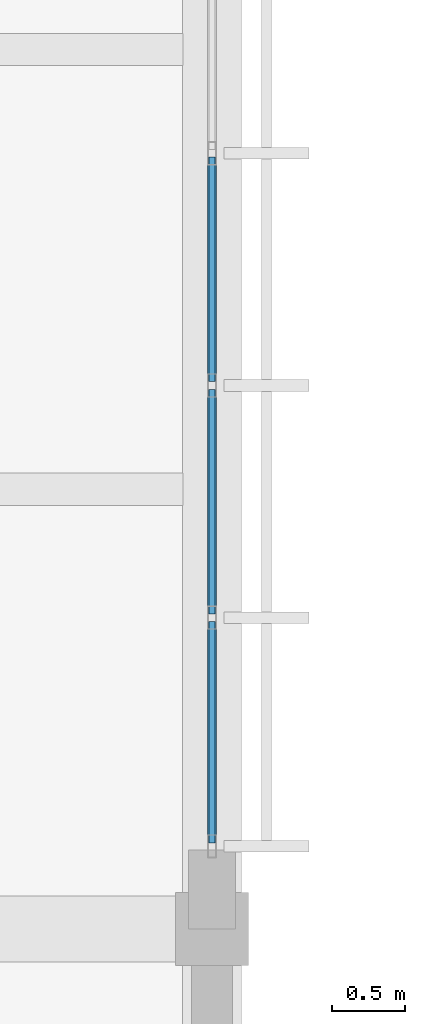
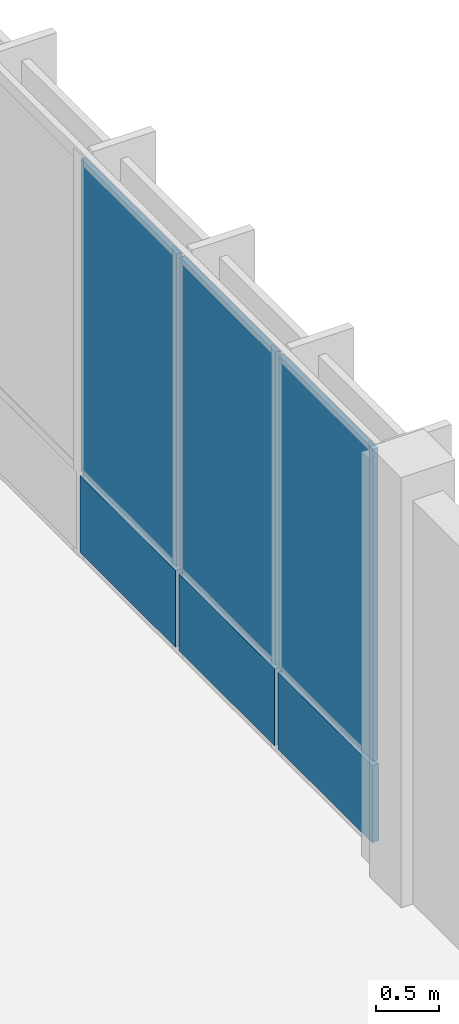
# One storey, part 155 of 182: 6 plates, 1 element without a shape of its own.
"""IFC4 building model written with IfcOpenShell, lengths in metres."""

from ifc_helpers import new_model, si_unit, direction, frame, origin, origin_2d, place, context, subcontext, project, spatial, rectangle, extrude, material, layer, layer_set, type_object, element, aggregate, save


model = new_model("IFC4")

# Units and contexts
model_context = context("Model", 3, precision=1e-05, world=origin(), true_north=direction((0.0, 1.0)))
body_context = subcontext(model_context, "Body", "Model", "MODEL_VIEW")
ifc_project = project(units=[si_unit("LENGTHUNIT", "METRE"), si_unit("AREAUNIT", "SQUARE_METRE"), si_unit("VOLUMEUNIT", "CUBIC_METRE"), si_unit("PLANEANGLEUNIT", "RADIAN"), si_unit("MASSUNIT", "GRAM", prefix="KILO")], contexts=[model_context])

# Site, building, storey
site_placement = place(None, origin())
site = spatial("IfcSite", under=ifc_project, at=site_placement, CompositionType="ELEMENT")
building_placement = place(site_placement, origin())
building = spatial("IfcBuilding", under=site, at=building_placement, Name="Chiffa Square Polytechnic", CompositionType="ELEMENT")
storey_placement = place(building_placement, frame((0.0, 0.0, 9.60009765625)))
storey = spatial("IfcBuildingStorey", under=building, at=storey_placement, Name="L02", CompositionType="ELEMENT", Elevation=9.60009765625)

# Curtain wall, plates
ifc_material_1 = material(Name="Aluminium EN AW-6060 T66 and glulam shading", Category="wood")
curtain_wall_type = type_object("IfcCurtainWallType", Name="CW-VERT-450X440", PredefinedType="USERDEFINED", material=ifc_material_1)
curtain_wall_placement = place(storey_placement, origin())
curtain_wall = element("IfcCurtainWall", 1, at=curtain_wall_placement, inside=storey, type_object=curtain_wall_type, Name="Curtain wall CW-V5-L02-216", ObjectType="CURTAIN WALL", PredefinedType="USERDEFINED")
ifc_material_2 = material(Name="Double glazing", Category="glass")
ifc_layer_1 = layer(ifc_material_2, 0.0439453125, Name="Double glazing")
ifc_layer_set_1 = layer_set([ifc_layer_1], Name="Double glazing")
plate_type_1 = type_object("IfcPlateType", Name="CWP-GLZ-134X118", PredefinedType="CURTAIN_PANEL", material=ifc_layer_set_1)
plate_1_placement = place(storey_placement, frame((148.199951171875, 123.14306640625, 0.83984375), z_axis=(0.0, 0.0, 1.0), x_axis=(0.0, 1.0, 0.0)))
plate_1 = element("IfcPlate", 2, at=plate_1_placement, type_object=plate_type_1, Name="Glazed curtain panel CW-V5-L02-216-PN01", PredefinedType="CURTAIN_PANEL", context=body_context, shape_type="SweptSolid", body=[
    extrude(rectangle(XDim=1.510009765625, YDim=0.0439453125, at=origin_2d()), origin(), (0.0, 0.0, 1.0), 3.050048828125),
])
plate_2_placement = place(storey_placement, frame((148.199951171875, 124.716064453125, 0.83984375), z_axis=(0.0, 0.0, 1.0), x_axis=(0.0, 1.0, 0.0)))
plate_2 = element("IfcPlate", 3, at=plate_2_placement, type_object=plate_type_1, Name="Glazed curtain panel CW-V5-L02-216-PN02", PredefinedType="CURTAIN_PANEL", context=body_context, shape_type="SweptSolid", body=[
    extrude(rectangle(XDim=1.531982421875, YDim=0.0439453125, at=origin_2d()), origin(), (0.0, 0.0, 1.0), 3.050048828125),
])
plate_3_placement = place(storey_placement, frame((148.199951171875, 126.300048828125, 0.83984375), z_axis=(0.0, 0.0, 1.0), x_axis=(0.0, 1.0, 0.0)))
plate_3 = element("IfcPlate", 4, at=plate_3_placement, type_object=plate_type_1, Name="Glazed curtain panel CW-V5-L02-216-PN03", PredefinedType="CURTAIN_PANEL", context=body_context, shape_type="SweptSolid", body=[
    extrude(rectangle(XDim=1.531982421875, YDim=0.0439453125, at=origin_2d()), origin(), (0.0, 0.0, 1.0), 3.050048828125),
])
ifc_material_3 = material(Name="Aluminium insulated spandrel", Category="aluminium")
ifc_layer_2 = layer(ifc_material_3, 0.06201171875, Name="Aluminium insulated spandrel")
ifc_layer_set_2 = layer_set([ifc_layer_2], Name="Aluminium insulated spandrel")
plate_type_2 = type_object("IfcPlateType", Name="CWP-SPN-148X084", PredefinedType="SHEET", material=ifc_layer_set_2)
plate_4_placement = place(storey_placement, frame((148.199951171875, 123.14306640625, 0.0498046875), z_axis=(0.0, 0.0, 1.0), x_axis=(0.0, 1.0, 0.0)))
plate_4 = element("IfcPlate", 5, at=plate_4_placement, type_object=plate_type_2, Name="Spandrel panel CW-V5-L02-216-SP01", PredefinedType="SHEET", context=body_context, shape_type="SweptSolid", body=[
    extrude(rectangle(XDim=1.510009765625, YDim=0.06201171875, at=origin_2d()), origin(), (0.0, 0.0, 1.0), 0.75),
])
plate_5_placement = place(storey_placement, frame((148.199951171875, 124.716064453125, 0.0498046875), z_axis=(0.0, 0.0, 1.0), x_axis=(0.0, 1.0, 0.0)))
plate_5 = element("IfcPlate", 6, at=plate_5_placement, type_object=plate_type_2, Name="Spandrel panel CW-V5-L02-216-SP02", PredefinedType="SHEET", context=body_context, shape_type="SweptSolid", body=[
    extrude(rectangle(XDim=1.531982421875, YDim=0.06201171875, at=origin_2d()), origin(), (0.0, 0.0, 1.0), 0.75),
])
plate_6_placement = place(storey_placement, frame((148.199951171875, 126.300048828125, 0.0498046875), z_axis=(0.0, 0.0, 1.0), x_axis=(0.0, 1.0, 0.0)))
plate_6 = element("IfcPlate", 7, at=plate_6_placement, type_object=plate_type_2, Name="Spandrel panel CW-V5-L02-216-SP03", PredefinedType="SHEET", context=body_context, shape_type="SweptSolid", body=[
    extrude(rectangle(XDim=1.531982421875, YDim=0.06201171875, at=origin_2d()), origin(), (0.0, 0.0, 1.0), 0.75),
])
aggregate(curtain_wall, [plate_4, plate_1, plate_5, plate_2, plate_6, plate_3])

save(model, "model.ifc")
